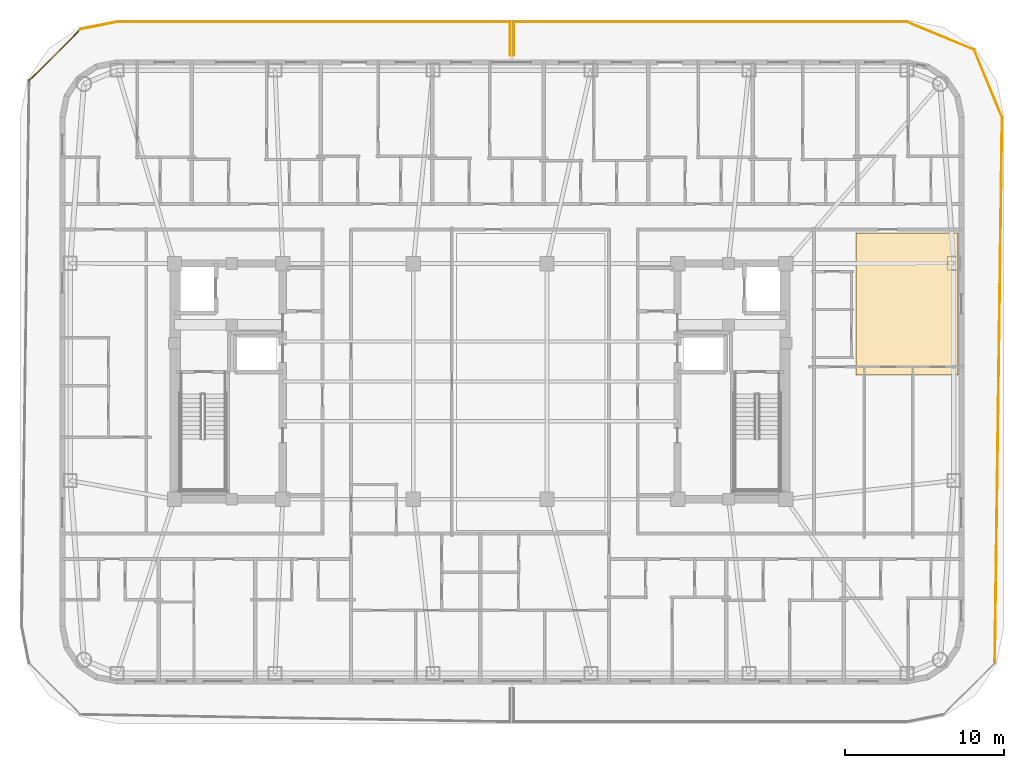
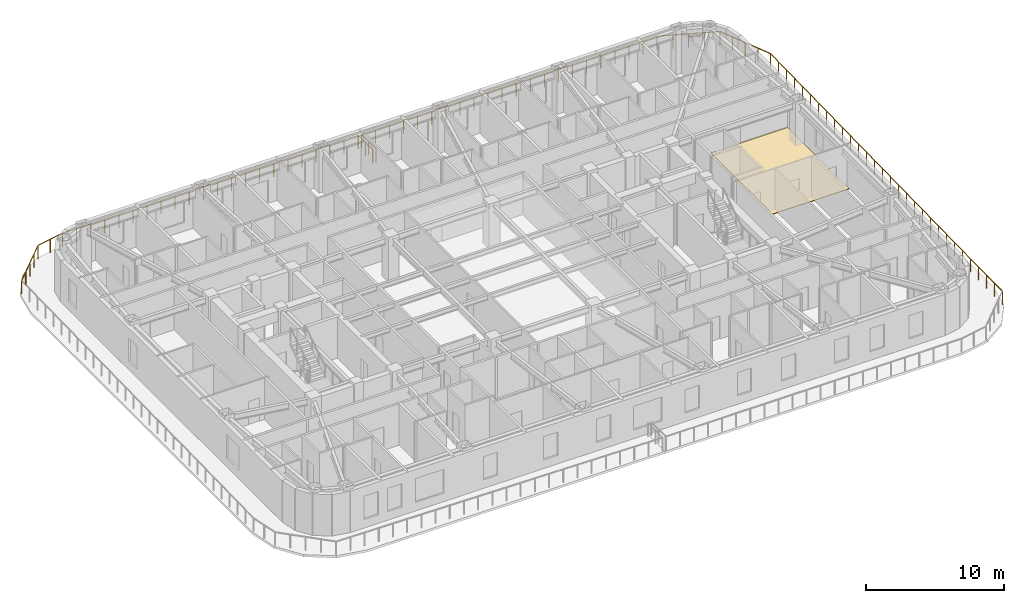
# One storey, part 15 of 15: 9 railings, 1 covering.
"""IFC4 building model written with IfcOpenShell, lengths in metres."""

from ifc_helpers import new_model, si_unit, direction, frame, origin, origin_2d, place, context, subcontext, project, spatial, polyline, circle, outline, extrude, material, layer, layer_set, type_object, element, save


model = new_model("IFC4")

# Units and contexts
model_context = context("Model", 3, precision=1e-05, world=origin(), true_north=direction((0.0, 1.0)))
body_context = subcontext(model_context, "Body", "Model", "MODEL_VIEW")
ifc_project = project(units=[si_unit("LENGTHUNIT", "METRE"), si_unit("AREAUNIT", "SQUARE_METRE"), si_unit("VOLUMEUNIT", "CUBIC_METRE"), si_unit("PLANEANGLEUNIT", "RADIAN"), si_unit("MASSUNIT", "GRAM", prefix="KILO")], contexts=[model_context])

# Site, building, storey
site_placement = place(None, origin())
site = spatial("IfcSite", under=ifc_project, at=site_placement, CompositionType="ELEMENT")
building_placement = place(site_placement, origin())
building = spatial("IfcBuilding", under=site, at=building_placement, Name="Voryun Gate Residences", CompositionType="ELEMENT")
storey_placement = place(building_placement, frame((0.0, 0.0, 231.39990234375)))
storey = spatial("IfcBuildingStorey", under=building, at=storey_placement, Name="L57", CompositionType="ELEMENT", Elevation=231.39990234375)

# Covering
ifc_material_1 = material(Name="Architectural oak flooring")
ifc_layer = layer(ifc_material_1, 0.044921875, Name="COV_FLOOR_ONDOL_OAK")
ifc_layer_set = layer_set([ifc_layer], Name="Architectural oak flooring")
covering_type = type_object("IfcCoveringType", Name="COV_FLOOR_ONDOL_OAK", PredefinedType="FLOORING", material=ifc_layer_set)
covering_placement = place(storey_placement, origin())
element("IfcCovering", 1, at=covering_placement, inside=storey, type_object=covering_type, Name="Ondol oak floor FLR-L57-01", PredefinedType="FLOORING", context=body_context, shape_type="SweptSolid", body=[
    extrude(outline(polyline([(23.60009765625, 0.419921875), (23.60009765625, 9.320068359375), (30.016845703125, 9.320068359375), (30.016845703125, 0.419921875), (23.60009765625, 0.419921875)])), origin(), (0.0, 0.0, 1.0), 0.045166015625),
])

# Railings
ifc_material_2 = material(Name="Anodised aluminium", Category="aluminium")
railing_type = type_object("IfcRailingType", Name="RAIL_BALCONY_GUARD_1200", PredefinedType="GUARDRAIL", material=ifc_material_2)
railing_1_placement = place(storey_placement, frame((-28.322509765625, 18.887451171875, 0.0)))
element("IfcRailing", 2, at=railing_1_placement, inside=storey, type_object=railing_type, Name="Terrace guard RL-L57-P1L1-04", PredefinedType="GUARDRAIL", context=body_context, shape_type="SweptSolid", body=[
    extrude(circle(Radius=0.02392578125, at=origin_2d()), frame((0.0, 0.0, 1.17578125), z_axis=(0.707106781187, 0.707106781187, 0.0), x_axis=(-0.707106781187, 0.707106781187, 0.0)), (0.0, 0.0, 1.0), 4.5751953125),
    extrude(circle(Radius=0.02099609375, at=origin_2d()), origin(), (0.0, 0.0, 1.0), 1.15185546875),
    extrude(circle(Radius=0.02099609375, at=origin_2d()), frame((0.808837890625, 0.808837890625, 0.0)), (0.0, 0.0, 1.0), 1.15185546875),
    extrude(circle(Radius=0.02099609375, at=origin_2d()), frame((1.61767578125, 1.61767578125, 0.0)), (0.0, 0.0, 1.0), 1.15185546875),
    extrude(circle(Radius=0.02099609375, at=origin_2d()), frame((2.42626953125, 2.42626953125, 0.0)), (0.0, 0.0, 1.0), 1.15185546875),
    extrude(circle(Radius=0.02099609375, at=origin_2d()), frame((3.235107421875, 3.235107421875, 0.0)), (0.0, 0.0, 1.0), 1.15185546875),
])
railing_2_placement = place(storey_placement, frame((-25.08740234375, 22.12255859375, 0.0)))
element("IfcRailing", 3, at=railing_2_placement, inside=storey, type_object=railing_type, Name="Terrace guard RL-L57-P1L1-05", PredefinedType="GUARDRAIL", context=body_context, shape_type="SweptSolid", body=[
    extrude(circle(Radius=0.02392578125, at=origin_2d()), frame((0.0, 0.0, 1.17578125), z_axis=(0.980772459438, 0.195154766297, 0.0), x_axis=(-0.195154766297, 0.980772459438, 0.0)), (0.0, 0.0, 1.0), 2.344482421875),
    extrude(circle(Radius=0.02099609375, at=origin_2d()), origin(), (0.0, 0.0, 1.0), 1.15185546875),
    extrude(circle(Radius=0.02099609375, at=origin_2d()), frame((1.149658203125, 0.228759765625, 0.0)), (0.0, 0.0, 1.0), 1.15185546875),
    extrude(circle(Radius=0.02099609375, at=origin_2d()), frame((2.29931640625, 0.45751953125, 0.0)), (0.0, 0.0, 1.0), 1.15185546875),
])
railing_3_placement = place(storey_placement, frame((-22.7880859375, 22.580078125, 0.0)))
element("IfcRailing", 4, at=railing_3_placement, inside=storey, type_object=railing_type, Name="Terrace guard RL-L57-P1L1-06", PredefinedType="GUARDRAIL", context=body_context, shape_type="SweptSolid", body=[
    extrude(circle(Radius=0.02392578125, at=origin_2d()), frame((0.0, 0.0, 1.17578125), z_axis=(1.0, 0.0, 0.0), x_axis=(0.0, 1.0, 0.0)), (0.0, 0.0, 1.0), 24.658203125),
    extrude(circle(Radius=0.02099609375, at=origin_2d()), origin(), (0.0, 0.0, 1.0), 1.15185546875),
    extrude(circle(Radius=0.02099609375, at=origin_2d()), frame((1.17431640625, 0.0, 0.0)), (0.0, 0.0, 1.0), 1.15185546875),
    extrude(circle(Radius=0.02099609375, at=origin_2d()), frame((2.348388671875, 0.0, 0.0)), (0.0, 0.0, 1.0), 1.15185546875),
    extrude(circle(Radius=0.02099609375, at=origin_2d()), frame((3.522705078125, 0.0, 0.0)), (0.0, 0.0, 1.0), 1.15185546875),
    extrude(circle(Radius=0.02099609375, at=origin_2d()), frame((4.69677734375, 0.0, 0.0)), (0.0, 0.0, 1.0), 1.15185546875),
    extrude(circle(Radius=0.02099609375, at=origin_2d()), frame((5.87109375, 0.0, 0.0)), (0.0, 0.0, 1.0), 1.15185546875),
    extrude(circle(Radius=0.02099609375, at=origin_2d()), frame((7.045166015625, 0.0, 0.0)), (0.0, 0.0, 1.0), 1.15185546875),
    extrude(circle(Radius=0.02099609375, at=origin_2d()), frame((8.219482421875, 0.0, 0.0)), (0.0, 0.0, 1.0), 1.15185546875),
    extrude(circle(Radius=0.02099609375, at=origin_2d()), frame((9.3935546875, 0.0, 0.0)), (0.0, 0.0, 1.0), 1.15185546875),
    extrude(circle(Radius=0.02099609375, at=origin_2d()), frame((10.56787109375, 0.0, 0.0)), (0.0, 0.0, 1.0), 1.15185546875),
    extrude(circle(Radius=0.02099609375, at=origin_2d()), frame((11.741943359375, 0.0, 0.0)), (0.0, 0.0, 1.0), 1.15185546875),
    extrude(circle(Radius=0.02099609375, at=origin_2d()), frame((12.916259765625, 0.0, 0.0)), (0.0, 0.0, 1.0), 1.15185546875),
    extrude(circle(Radius=0.02099609375, at=origin_2d()), frame((14.09033203125, 0.0, 0.0)), (0.0, 0.0, 1.0), 1.15185546875),
    extrude(circle(Radius=0.02099609375, at=origin_2d()), frame((15.2646484375, 0.0, 0.0)), (0.0, 0.0, 1.0), 1.15185546875),
    extrude(circle(Radius=0.02099609375, at=origin_2d()), frame((16.438720703125, 0.0, 0.0)), (0.0, 0.0, 1.0), 1.15185546875),
    extrude(circle(Radius=0.02099609375, at=origin_2d()), frame((17.613037109375, 0.0, 0.0)), (0.0, 0.0, 1.0), 1.15185546875),
    extrude(circle(Radius=0.02099609375, at=origin_2d()), frame((18.787109375, 0.0, 0.0)), (0.0, 0.0, 1.0), 1.15185546875),
    extrude(circle(Radius=0.02099609375, at=origin_2d()), frame((19.96142578125, 0.0, 0.0)), (0.0, 0.0, 1.0), 1.15185546875),
    extrude(circle(Radius=0.02099609375, at=origin_2d()), frame((21.135498046875, 0.0, 0.0)), (0.0, 0.0, 1.0), 1.15185546875),
    extrude(circle(Radius=0.02099609375, at=origin_2d()), frame((22.309814453125, 0.0, 0.0)), (0.0, 0.0, 1.0), 1.15185546875),
    extrude(circle(Radius=0.02099609375, at=origin_2d()), frame((23.48388671875, 0.0, 0.0)), (0.0, 0.0, 1.0), 1.15185546875),
    extrude(circle(Radius=0.02099609375, at=origin_2d()), frame((24.658203125, 0.0, 0.0)), (0.0, 0.0, 1.0), 1.15185546875),
])
railing_4_placement = place(storey_placement, frame((1.8701171875, 22.580078125, 0.0)))
element("IfcRailing", 5, at=railing_4_placement, inside=storey, type_object=railing_type, Name="Terrace guard RL-L57-P1L1-07", PredefinedType="GUARDRAIL", context=body_context, shape_type="SweptSolid", body=[
    extrude(circle(Radius=0.02392578125, at=origin_2d()), frame((0.0, 0.0, 1.17578125), z_axis=(0.0, -1.0, 0.0), x_axis=(1.0, 0.0, 0.0)), (0.0, 0.0, 1.0), 2.10009765625),
    extrude(circle(Radius=0.02099609375, at=origin_2d()), origin(), (0.0, 0.0, 1.0), 1.15185546875),
    extrude(circle(Radius=0.02099609375, at=origin_2d()), frame((0.0, -1.050048828125, 0.0)), (0.0, 0.0, 1.0), 1.15185546875),
    extrude(circle(Radius=0.02099609375, at=origin_2d()), frame((0.0, -2.10009765625, 0.0)), (0.0, 0.0, 1.0), 1.15185546875),
])
railing_5_placement = place(storey_placement, frame((26.7880859375, 22.580078125, 0.0)))
element("IfcRailing", 6, at=railing_5_placement, inside=storey, type_object=railing_type, Name="Terrace guard RL-L57-P2L1-01", PredefinedType="GUARDRAIL", context=body_context, shape_type="SweptSolid", body=[
    extrude(circle(Radius=0.02392578125, at=origin_2d()), frame((0.0, 0.0, 1.17578125), z_axis=(0.924078420003, -0.382202922131, 0.0), x_axis=(0.382202922131, 0.924078420003, 0.0)), (0.0, 0.0, 1.0), 4.5869140625),
    extrude(circle(Radius=0.02099609375, at=origin_2d()), origin(), (0.0, 0.0, 1.0), 1.15185546875),
    extrude(circle(Radius=0.02099609375, at=origin_2d()), frame((1.0595703125, -0.438232421875, 0.0)), (0.0, 0.0, 1.0), 1.15185546875),
    extrude(circle(Radius=0.02099609375, at=origin_2d()), frame((2.119384765625, -0.87646484375, 0.0)), (0.0, 0.0, 1.0), 1.15185546875),
    extrude(circle(Radius=0.02099609375, at=origin_2d()), frame((3.17919921875, -1.31494140625, 0.0)), (0.0, 0.0, 1.0), 1.15185546875),
    extrude(circle(Radius=0.02099609375, at=origin_2d()), frame((4.23876953125, -1.753173828125, 0.0)), (0.0, 0.0, 1.0), 1.15185546875),
])
railing_6_placement = place(storey_placement, frame((31.02685546875, 20.826904296875, 0.0)))
element("IfcRailing", 7, at=railing_6_placement, inside=storey, type_object=railing_type, Name="Terrace guard RL-L57-P2L1-02", PredefinedType="GUARDRAIL", context=body_context, shape_type="SweptSolid", body=[
    extrude(circle(Radius=0.02392578125, at=origin_2d()), frame((0.0, 0.0, 1.17578125), z_axis=(0.382202922131, -0.924078420003, 0.0), x_axis=(0.924078420003, 0.382202922131, 0.0)), (0.0, 0.0, 1.0), 4.5869140625),
    extrude(circle(Radius=0.02099609375, at=origin_2d()), origin(), (0.0, 0.0, 1.0), 1.15185546875),
    extrude(circle(Radius=0.02099609375, at=origin_2d()), frame((0.438232421875, -1.0595703125, 0.0)), (0.0, 0.0, 1.0), 1.15185546875),
    extrude(circle(Radius=0.02099609375, at=origin_2d()), frame((0.87646484375, -2.119384765625, 0.0)), (0.0, 0.0, 1.0), 1.15185546875),
    extrude(circle(Radius=0.02099609375, at=origin_2d()), frame((1.31494140625, -3.17919921875, 0.0)), (0.0, 0.0, 1.0), 1.15185546875),
    extrude(circle(Radius=0.02099609375, at=origin_2d()), frame((1.753173828125, -4.23876953125, 0.0)), (0.0, 0.0, 1.0), 1.15185546875),
])
railing_7_placement = place(storey_placement, frame((32.780029296875, 16.588134765625, 0.0)))
element("IfcRailing", 8, at=railing_7_placement, inside=storey, type_object=railing_type, Name="Terrace guard RL-L57-P2L1-03", PredefinedType="GUARDRAIL", context=body_context, shape_type="SweptSolid", body=[
    extrude(circle(Radius=0.02392578125, at=origin_2d()), frame((0.0, 0.0, 1.17578125), z_axis=(-0.013347054851, -0.999910924096, 0.0), x_axis=(0.999910924096, -0.013347054851, 0.0)), (0.0, 0.0, 1.0), 34.27880859375),
    extrude(circle(Radius=0.02099609375, at=origin_2d()), origin(), (0.0, 0.0, 1.0), 1.15185546875),
    extrude(circle(Radius=0.02099609375, at=origin_2d()), frame((-0.015869140625, -1.181884765625, 0.0)), (0.0, 0.0, 1.0), 1.15185546875),
    extrude(circle(Radius=0.02099609375, at=origin_2d()), frame((-0.031494140625, -2.36376953125, 0.0)), (0.0, 0.0, 1.0), 1.15185546875),
    extrude(circle(Radius=0.02099609375, at=origin_2d()), frame((-0.04736328125, -3.545654296875, 0.0)), (0.0, 0.0, 1.0), 1.15185546875),
    extrude(circle(Radius=0.02099609375, at=origin_2d()), frame((-0.06298828125, -4.727783203125, 0.0)), (0.0, 0.0, 1.0), 1.15185546875),
    extrude(circle(Radius=0.02099609375, at=origin_2d()), frame((-0.078857421875, -5.90966796875, 0.0)), (0.0, 0.0, 1.0), 1.15185546875),
    extrude(circle(Radius=0.02099609375, at=origin_2d()), frame((-0.0947265625, -7.091552734375, 0.0)), (0.0, 0.0, 1.0), 1.15185546875),
    extrude(circle(Radius=0.02099609375, at=origin_2d()), frame((-0.1103515625, -8.2734375, 0.0)), (0.0, 0.0, 1.0), 1.15185546875),
    extrude(circle(Radius=0.02099609375, at=origin_2d()), frame((-0.126220703125, -9.455322265625, 0.0)), (0.0, 0.0, 1.0), 1.15185546875),
    extrude(circle(Radius=0.02099609375, at=origin_2d()), frame((-0.14208984375, -10.63720703125, 0.0)), (0.0, 0.0, 1.0), 1.15185546875),
    extrude(circle(Radius=0.02099609375, at=origin_2d()), frame((-0.15771484375, -11.819091796875, 0.0)), (0.0, 0.0, 1.0), 1.15185546875),
    extrude(circle(Radius=0.02099609375, at=origin_2d()), frame((-0.173583984375, -13.001220703125, 0.0)), (0.0, 0.0, 1.0), 1.15185546875),
    extrude(circle(Radius=0.02099609375, at=origin_2d()), frame((-0.189208984375, -14.18310546875, 0.0)), (0.0, 0.0, 1.0), 1.15185546875),
    extrude(circle(Radius=0.02099609375, at=origin_2d()), frame((-0.205078125, -15.364990234375, 0.0)), (0.0, 0.0, 1.0), 1.15185546875),
    extrude(circle(Radius=0.02099609375, at=origin_2d()), frame((-0.220947265625, -16.546875, 0.0)), (0.0, 0.0, 1.0), 1.15185546875),
    extrude(circle(Radius=0.02099609375, at=origin_2d()), frame((-0.236572265625, -17.728759765625, 0.0)), (0.0, 0.0, 1.0), 1.15185546875),
    extrude(circle(Radius=0.02099609375, at=origin_2d()), frame((-0.25244140625, -18.91064453125, 0.0)), (0.0, 0.0, 1.0), 1.15185546875),
    extrude(circle(Radius=0.02099609375, at=origin_2d()), frame((-0.268310546875, -20.092529296875, 0.0)), (0.0, 0.0, 1.0), 1.15185546875),
    extrude(circle(Radius=0.02099609375, at=origin_2d()), frame((-0.283935546875, -21.2744140625, 0.0)), (0.0, 0.0, 1.0), 1.15185546875),
    extrude(circle(Radius=0.02099609375, at=origin_2d()), frame((-0.2998046875, -22.45654296875, 0.0)), (0.0, 0.0, 1.0), 1.15185546875),
    extrude(circle(Radius=0.02099609375, at=origin_2d()), frame((-0.3154296875, -23.638427734375, 0.0)), (0.0, 0.0, 1.0), 1.15185546875),
    extrude(circle(Radius=0.02099609375, at=origin_2d()), frame((-0.331298828125, -24.8203125, 0.0)), (0.0, 0.0, 1.0), 1.15185546875),
    extrude(circle(Radius=0.02099609375, at=origin_2d()), frame((-0.34716796875, -26.002197265625, 0.0)), (0.0, 0.0, 1.0), 1.15185546875),
    extrude(circle(Radius=0.02099609375, at=origin_2d()), frame((-0.36279296875, -27.18408203125, 0.0)), (0.0, 0.0, 1.0), 1.15185546875),
    extrude(circle(Radius=0.02099609375, at=origin_2d()), frame((-0.378662109375, -28.365966796875, 0.0)), (0.0, 0.0, 1.0), 1.15185546875),
    extrude(circle(Radius=0.02099609375, at=origin_2d()), frame((-0.39453125, -29.5478515625, 0.0)), (0.0, 0.0, 1.0), 1.15185546875),
    extrude(circle(Radius=0.02099609375, at=origin_2d()), frame((-0.41015625, -30.72998046875, 0.0)), (0.0, 0.0, 1.0), 1.15185546875),
    extrude(circle(Radius=0.02099609375, at=origin_2d()), frame((-0.426025390625, -31.911865234375, 0.0)), (0.0, 0.0, 1.0), 1.15185546875),
    extrude(circle(Radius=0.02099609375, at=origin_2d()), frame((-0.441650390625, -33.09375, 0.0)), (0.0, 0.0, 1.0), 1.15185546875),
    extrude(circle(Radius=0.02099609375, at=origin_2d()), frame((-0.45751953125, -34.275634765625, 0.0)), (0.0, 0.0, 1.0), 1.15185546875),
])
railing_8_placement = place(storey_placement, frame((2.1298828125, 20.47998046875, 0.0)))
element("IfcRailing", 9, at=railing_8_placement, inside=storey, type_object=railing_type, Name="Terrace guard RL-L57-P2L2-01", PredefinedType="GUARDRAIL", context=body_context, shape_type="SweptSolid", body=[
    extrude(circle(Radius=0.02392578125, at=origin_2d()), frame((0.0, 0.0, 1.17578125), z_axis=(0.0, 1.0, 0.0), x_axis=(-1.0, 0.0, 0.0)), (0.0, 0.0, 1.0), 2.10009765625),
    extrude(circle(Radius=0.02099609375, at=origin_2d()), origin(), (0.0, 0.0, 1.0), 1.15185546875),
    extrude(circle(Radius=0.02099609375, at=origin_2d()), frame((0.0, 1.050048828125, 0.0)), (0.0, 0.0, 1.0), 1.15185546875),
    extrude(circle(Radius=0.02099609375, at=origin_2d()), frame((0.0, 2.10009765625, 0.0)), (0.0, 0.0, 1.0), 1.15185546875),
])
railing_9_placement = place(storey_placement, frame((2.1298828125, 22.580078125, 0.0)))
element("IfcRailing", 10, at=railing_9_placement, inside=storey, type_object=railing_type, Name="Terrace guard RL-L57-P2L2-02", PredefinedType="GUARDRAIL", context=body_context, shape_type="SweptSolid", body=[
    extrude(circle(Radius=0.02392578125, at=origin_2d()), frame((0.0, 0.0, 1.17578125), z_axis=(1.0, 0.0, 0.0), x_axis=(0.0, 1.0, 0.0)), (0.0, 0.0, 1.0), 24.658203125),
    extrude(circle(Radius=0.02099609375, at=origin_2d()), origin(), (0.0, 0.0, 1.0), 1.15185546875),
    extrude(circle(Radius=0.02099609375, at=origin_2d()), frame((1.17431640625, 0.0, 0.0)), (0.0, 0.0, 1.0), 1.15185546875),
    extrude(circle(Radius=0.02099609375, at=origin_2d()), frame((2.348388671875, 0.0, 0.0)), (0.0, 0.0, 1.0), 1.15185546875),
    extrude(circle(Radius=0.02099609375, at=origin_2d()), frame((3.522705078125, 0.0, 0.0)), (0.0, 0.0, 1.0), 1.15185546875),
    extrude(circle(Radius=0.02099609375, at=origin_2d()), frame((4.69677734375, 0.0, 0.0)), (0.0, 0.0, 1.0), 1.15185546875),
    extrude(circle(Radius=0.02099609375, at=origin_2d()), frame((5.87109375, 0.0, 0.0)), (0.0, 0.0, 1.0), 1.15185546875),
    extrude(circle(Radius=0.02099609375, at=origin_2d()), frame((7.045166015625, 0.0, 0.0)), (0.0, 0.0, 1.0), 1.15185546875),
    extrude(circle(Radius=0.02099609375, at=origin_2d()), frame((8.219482421875, 0.0, 0.0)), (0.0, 0.0, 1.0), 1.15185546875),
    extrude(circle(Radius=0.02099609375, at=origin_2d()), frame((9.3935546875, 0.0, 0.0)), (0.0, 0.0, 1.0), 1.15185546875),
    extrude(circle(Radius=0.02099609375, at=origin_2d()), frame((10.56787109375, 0.0, 0.0)), (0.0, 0.0, 1.0), 1.15185546875),
    extrude(circle(Radius=0.02099609375, at=origin_2d()), frame((11.741943359375, 0.0, 0.0)), (0.0, 0.0, 1.0), 1.15185546875),
    extrude(circle(Radius=0.02099609375, at=origin_2d()), frame((12.916259765625, 0.0, 0.0)), (0.0, 0.0, 1.0), 1.15185546875),
    extrude(circle(Radius=0.02099609375, at=origin_2d()), frame((14.09033203125, 0.0, 0.0)), (0.0, 0.0, 1.0), 1.15185546875),
    extrude(circle(Radius=0.02099609375, at=origin_2d()), frame((15.2646484375, 0.0, 0.0)), (0.0, 0.0, 1.0), 1.15185546875),
    extrude(circle(Radius=0.02099609375, at=origin_2d()), frame((16.438720703125, 0.0, 0.0)), (0.0, 0.0, 1.0), 1.15185546875),
    extrude(circle(Radius=0.02099609375, at=origin_2d()), frame((17.613037109375, 0.0, 0.0)), (0.0, 0.0, 1.0), 1.15185546875),
    extrude(circle(Radius=0.02099609375, at=origin_2d()), frame((18.787109375, 0.0, 0.0)), (0.0, 0.0, 1.0), 1.15185546875),
    extrude(circle(Radius=0.02099609375, at=origin_2d()), frame((19.96142578125, 0.0, 0.0)), (0.0, 0.0, 1.0), 1.15185546875),
    extrude(circle(Radius=0.02099609375, at=origin_2d()), frame((21.135498046875, 0.0, 0.0)), (0.0, 0.0, 1.0), 1.15185546875),
    extrude(circle(Radius=0.02099609375, at=origin_2d()), frame((22.309814453125, 0.0, 0.0)), (0.0, 0.0, 1.0), 1.15185546875),
    extrude(circle(Radius=0.02099609375, at=origin_2d()), frame((23.48388671875, 0.0, 0.0)), (0.0, 0.0, 1.0), 1.15185546875),
    extrude(circle(Radius=0.02099609375, at=origin_2d()), frame((24.658203125, 0.0, 0.0)), (0.0, 0.0, 1.0), 1.15185546875),
])

save(model, "model.ifc")
